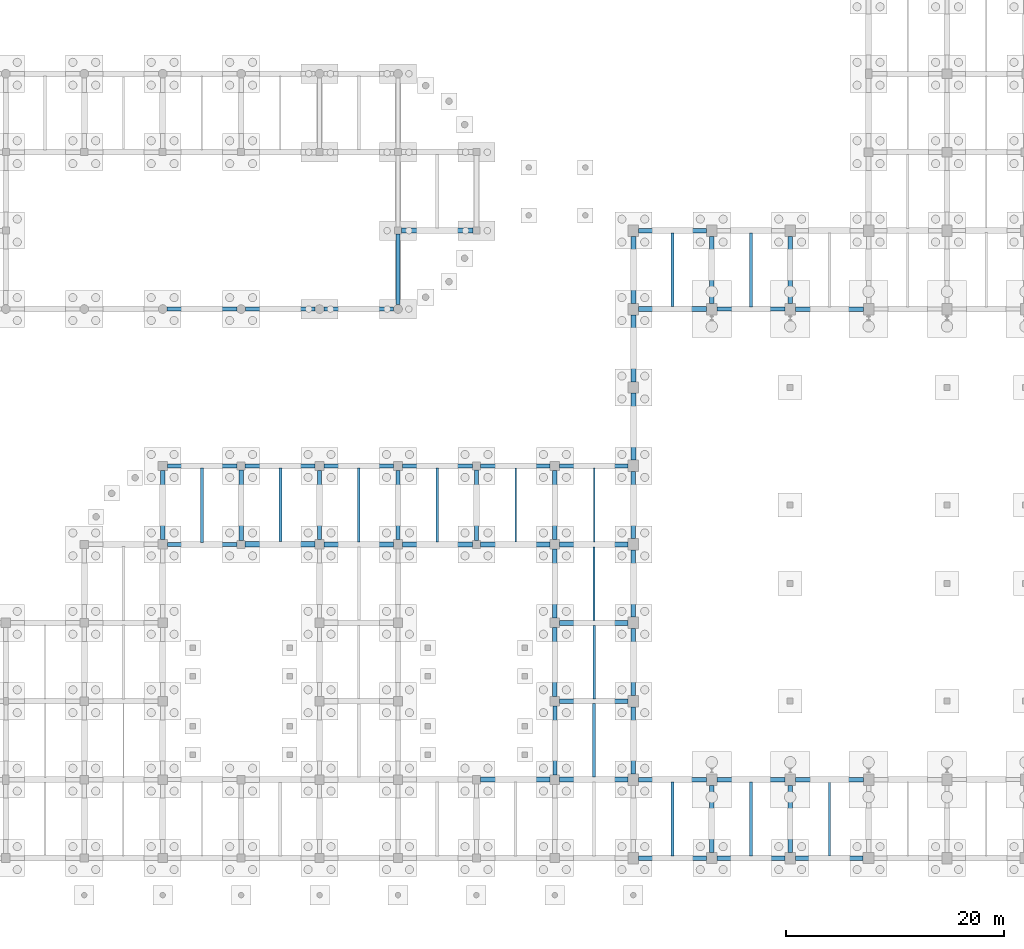
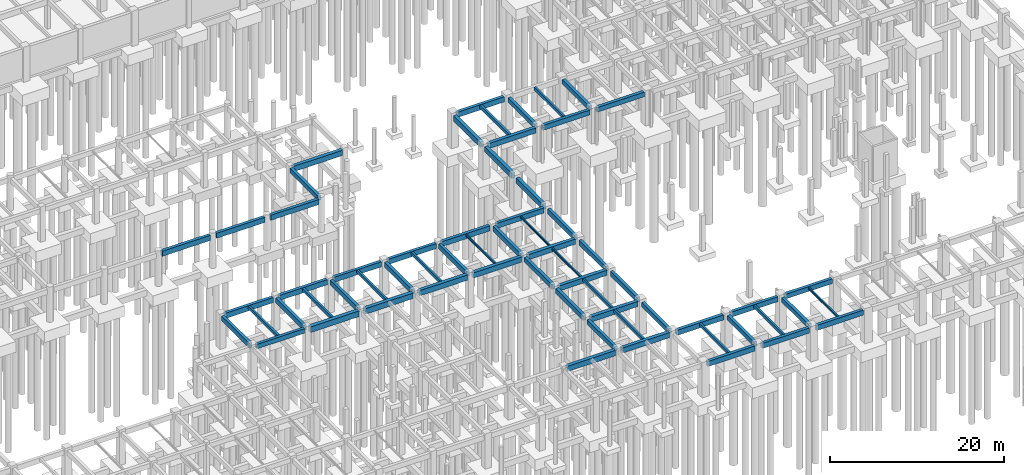
# One storey, part 27 of 47: 65 beams.
"""IFC4 building model written with IfcOpenShell, lengths in metres."""

from ifc_helpers import new_model, si_unit, direction, frame, origin, origin_2d, place, context, subcontext, project, spatial, rectangle, i_section, extrude, material, material_profile, profile_set, type_object, element, save


model = new_model("IFC4")

# Units and contexts
model_context = context("Model", 3, precision=1e-05, world=origin(), true_north=direction((0.0, 1.0)))
body_context = subcontext(model_context, "Body", "Model", "MODEL_VIEW")
ifc_project = project(units=[si_unit("LENGTHUNIT", "METRE"), si_unit("AREAUNIT", "SQUARE_METRE"), si_unit("VOLUMEUNIT", "CUBIC_METRE"), si_unit("PLANEANGLEUNIT", "RADIAN"), si_unit("MASSUNIT", "GRAM", prefix="KILO")], contexts=[model_context])

# Site, building, storey
site_placement = place(None, origin())
site = spatial("IfcSite", under=ifc_project, at=site_placement, CompositionType="ELEMENT")
building_placement = place(site_placement, origin())
building = spatial("IfcBuilding", under=site, at=building_placement, Name="Thalmaran Polytechnic", CompositionType="ELEMENT")
storey_placement = place(building_placement, frame((0.0, 0.0, -4.5)))
storey = spatial("IfcBuildingStorey", under=building, at=storey_placement, Name="B1", CompositionType="ELEMENT", Elevation=-4.5)

# Beams
ifc_material_1 = material(Name="Concrete C40/50", Category="concrete")
ifc_material_profile_1 = material_profile(ifc_material_1, rectangle(XDim=0.5, YDim=0.800048828125, at=origin_2d()), Name="RC 500x800")
ifc_profile_set_1 = profile_set([ifc_material_profile_1], Name="Concrete C40/50")
beam_type_1 = type_object("IfcBeamType", Name="BM-RC02", PredefinedType="BEAM", material=ifc_profile_set_1)
beam_1_placement = place(storey_placement, frame((72.375, 28.800048828125, 3.7900390625), z_axis=(1.0, 0.0, 0.0), x_axis=(0.0, 1.0, 0.0)))
element("IfcBeam", 1, at=beam_1_placement, inside=storey, type_object=beam_type_1, Name="Grid Beam B02 B1 X(10,4)", PredefinedType="BEAM", context=body_context, shape_type="SweptSolid", body=[
    extrude(rectangle(XDim=0.5, YDim=0.800048828125, at=origin_2d()), origin(), (0.0, 0.0, 1.0), 6.39990234375),
])
ifc_material_profile_2 = material_profile(ifc_material_1, rectangle(XDim=0.449951171875, YDim=0.75, at=origin_2d()), Name="RC 450x750")
ifc_profile_set_2 = profile_set([ifc_material_profile_2], Name="Concrete C40/50")
beam_type_2 = type_object("IfcBeamType", Name="BM-RC03", PredefinedType="BEAM", material=ifc_profile_set_2)
beam_2_placement = place(storey_placement, frame((86.824951171875, 28.800048828125, 3.81494140625), z_axis=(1.0, 0.0, 0.0), x_axis=(0.0, 1.0, 0.0)))
element("IfcBeam", 2, at=beam_2_placement, inside=storey, type_object=beam_type_2, Name="Grid Beam B03 B1 X(12,4)", PredefinedType="BEAM", context=body_context, shape_type="SweptSolid", body=[
    extrude(rectangle(XDim=0.449951171875, YDim=0.75, at=origin_2d()), origin(), (0.0, 0.0, 1.0), 6.400146484375),
])
beam_3_placement = place(storey_placement, frame((86.72509765625, 57.60009765625, 3.81494140625), z_axis=(1.0, 0.0, 0.0), x_axis=(0.0, 1.0, 0.0)))
element("IfcBeam", 3, at=beam_3_placement, inside=storey, type_object=beam_type_2, Name="Grid Beam B03 B1 X(12,8)", PredefinedType="BEAM", context=body_context, shape_type="SweptSolid", body=[
    extrude(rectangle(XDim=0.449951171875, YDim=0.75, at=origin_2d()), origin(), (0.0, 0.0, 1.0), 6.5498046875),
])
ifc_material_profile_3 = material_profile(ifc_material_1, rectangle(XDim=0.449951171875, YDim=0.72509765625, at=origin_2d()), Name="RC 450x725")
ifc_profile_set_3 = profile_set([ifc_material_profile_3], Name="Concrete C40/50")
beam_type_3 = type_object("IfcBeamType", Name="BM-RC04", PredefinedType="BEAM", material=ifc_profile_set_3)
for number, where, z_axis, x_axis, name in (
    (4, (101.22509765625, 7.199951171875, 3.827392578125), (1.0, 0.0, 0.0), (0.0, 1.0, 0.0), "Grid Beam B04 B1 X(14,1)"),
    (5, (101.22509765625, 14.39990234375, 3.827392578125), (1.0, 0.0, 0.0), (0.0, 1.0, 0.0), "Grid Beam B04 B1 X(14,2)"),
    (6, (101.22509765625, 21.60009765625, 3.827392578125), (1.0, 0.0, 0.0), (0.0, 1.0, 0.0), "Grid Beam B04 B1 X(14,3)"),
    (7, (101.22509765625, 28.800048828125, 3.827392578125), (1.0, 0.0, 0.0), (0.0, 1.0, 0.0), "Grid Beam B04 B1 X(14,4)"),
):
    element("IfcBeam", number, at=place(storey_placement, frame(where, z_axis=z_axis, x_axis=x_axis)), inside=storey, type_object=beam_type_3, Name=name, PredefinedType="BEAM", context=body_context, shape_type="SweptSolid", body=[
        extrude(rectangle(XDim=0.449951171875, YDim=0.72509765625, at=origin_2d()), origin(), (0.0, 0.0, 1.0), 6.2998046875),
    ])
ifc_material_profile_4 = material_profile(ifc_material_1, rectangle(XDim=0.39990234375, YDim=0.699951171875, at=origin_2d()), Name="RC 400x700")
ifc_profile_set_4 = profile_set([ifc_material_profile_4], Name="Concrete C40/50")
beam_type_4 = type_object("IfcBeamType", Name="BM-RC05", PredefinedType="BEAM", material=ifc_profile_set_4)
for number, where, z_axis, x_axis, name in (
    (8, (115.675048828125, 7.199951171875, 3.7900390625), (1.0, 0.0, 0.0), (0.0, 1.0, 0.0), "Grid Beam B05 B1 X(16,1)"),
    (9, (115.675048828125, 50.39990234375, 3.7900390625), (1.0, 0.0, 0.0), (0.0, 1.0, 0.0), "Grid Beam B05 B1 X(16,7)"),
):
    element("IfcBeam", number, at=place(storey_placement, frame(where, z_axis=z_axis, x_axis=x_axis)), inside=storey, type_object=beam_type_4, Name=name, PredefinedType="BEAM", context=body_context, shape_type="SweptSolid", body=[
        extrude(rectangle(XDim=0.39990234375, YDim=0.699951171875, at=origin_2d()), origin(), (0.0, 0.0, 1.0), 6.25),
    ])
ifc_material_profile_5 = material_profile(ifc_material_1, rectangle(XDim=0.39990234375, YDim=0.6298828125, at=origin_2d()), Name="RC 400x630")
ifc_profile_set_5 = profile_set([ifc_material_profile_5], Name="Concrete C40/50")
beam_type_5 = type_object("IfcBeamType", Name="BM-RC07", PredefinedType="BEAM", material=ifc_profile_set_5)
beam_4_placement = place(storey_placement, frame((86.39990234375, 50.800048828125, 3.875), z_axis=(0.0, 1.0, 0.0), x_axis=(-1.0, 0.0, 0.0)))
element("IfcBeam", 10, at=beam_4_placement, inside=storey, type_object=beam_type_5, Name="Grid Beam B07 B1 Y(12,7)", PredefinedType="BEAM", context=body_context, shape_type="SweptSolid", body=[
    extrude(rectangle(XDim=0.39990234375, YDim=0.6298828125, at=origin_2d()), origin(), (0.0, 0.0, 1.0), 6.474853515625),
])
beam_5_placement = place(storey_placement, frame((115.199951171875, 0.5, 3.824951171875), z_axis=(0.0, 1.0, 0.0), x_axis=(-1.0, 0.0, 0.0)))
element("IfcBeam", 11, at=beam_5_placement, inside=storey, type_object=beam_type_5, Name="Grid Beam B07 B1 Y(16,0)", PredefinedType="BEAM", context=body_context, shape_type="SweptSolid", body=[
    extrude(rectangle(XDim=0.39990234375, YDim=0.6298828125, at=origin_2d()), origin(), (0.0, 0.0, 1.0), 6.175048828125),
])
beam_6_placement = place(storey_placement, frame((115.199951171875, 50.925048828125, 3.824951171875), z_axis=(0.0, 1.0, 0.0), x_axis=(-1.0, 0.0, 0.0)))
element("IfcBeam", 12, at=beam_6_placement, inside=storey, type_object=beam_type_5, Name="Grid Beam B07 B1 Y(16,7)", PredefinedType="BEAM", context=body_context, shape_type="SweptSolid", body=[
    extrude(rectangle(XDim=0.39990234375, YDim=0.6298828125, at=origin_2d()), origin(), (0.0, 0.0, 1.0), 6.14990234375),
])
beam_7_placement = place(storey_placement, frame((122.39990234375, 0.52490234375, 3.824951171875), z_axis=(0.0, 1.0, 0.0), x_axis=(-1.0, 0.0, 0.0)))
element("IfcBeam", 13, at=beam_7_placement, inside=storey, type_object=beam_type_5, Name="Grid Beam B07 B1 Y(17,0)", PredefinedType="BEAM", context=body_context, shape_type="SweptSolid", body=[
    extrude(rectangle(XDim=0.39990234375, YDim=0.6298828125, at=origin_2d()), origin(), (0.0, 0.0, 1.0), 6.150146484375),
])
beam_8_placement = place(storey_placement, frame((122.39990234375, 50.925048828125, 3.824951171875), z_axis=(0.0, 1.0, 0.0), x_axis=(-1.0, 0.0, 0.0)))
element("IfcBeam", 14, at=beam_8_placement, inside=storey, type_object=beam_type_5, Name="Grid Beam B07 B1 Y(17,7)", PredefinedType="BEAM", context=body_context, shape_type="SweptSolid", body=[
    extrude(rectangle(XDim=0.39990234375, YDim=0.6298828125, at=origin_2d()), origin(), (0.0, 0.0, 1.0), 6.14990234375),
])
ifc_material_profile_6 = material_profile(ifc_material_1, rectangle(XDim=0.389892578125, YDim=0.68505859375, at=origin_2d()), Name="RC 390x685")
ifc_profile_set_6 = profile_set([ifc_material_profile_6], Name="Concrete C40/50")
beam_type_6 = type_object("IfcBeamType", Name="BM-RC08", PredefinedType="BEAM", material=ifc_profile_set_6)
beam_9_placement = place(storey_placement, frame((100.800048828125, 14.824951171875, 3.847412109375), z_axis=(0.0, 1.0, 0.0), x_axis=(-1.0, 0.0, 0.0)))
element("IfcBeam", 15, at=beam_9_placement, inside=storey, type_object=beam_type_6, Name="Grid Beam B08 B1 Y(14,2)", PredefinedType="BEAM", context=body_context, shape_type="SweptSolid", body=[
    extrude(rectangle(XDim=0.389892578125, YDim=0.68505859375, at=origin_2d()), origin(), (0.0, 0.0, 1.0), 6.35009765625),
])
beam_10_placement = place(storey_placement, frame((108.0, 14.925048828125, 3.797607421875), z_axis=(0.0, 1.0, 0.0), x_axis=(-1.0, 0.0, 0.0)))
element("IfcBeam", 16, at=beam_10_placement, inside=storey, type_object=beam_type_6, Name="Grid Beam B08 B1 Y(15,2)", PredefinedType="BEAM", context=body_context, shape_type="SweptSolid", body=[
    extrude(rectangle(XDim=0.389892578125, YDim=0.68505859375, at=origin_2d()), origin(), (0.0, 0.0, 1.0), 6.14990234375),
])
ifc_material_profile_7 = material_profile(ifc_material_1, rectangle(XDim=0.389892578125, YDim=0.68994140625, at=origin_2d()), Name="RC 390x690")
ifc_profile_set_7 = profile_set([ifc_material_profile_7], Name="Concrete C40/50")
beam_type_7 = type_object("IfcBeamType", Name="BM-RC09", PredefinedType="BEAM", material=ifc_profile_set_7)
beam_11_placement = place(storey_placement, frame((64.800048828125, 29.22509765625, 3.844970703125), z_axis=(0.0, 1.0, 0.0), x_axis=(-1.0, 0.0, 0.0)))
element("IfcBeam", 17, at=beam_11_placement, inside=storey, type_object=beam_type_7, Name="Grid Beam B09 B1 Y(9,4)", PredefinedType="BEAM", context=body_context, shape_type="SweptSolid", body=[
    extrude(rectangle(XDim=0.389892578125, YDim=0.68994140625, at=origin_2d()), origin(), (0.0, 0.0, 1.0), 6.349853515625),
])
beam_12_placement = place(storey_placement, frame((72.0, 29.175048828125, 3.844970703125), z_axis=(0.0, 1.0, 0.0), x_axis=(-1.0, 0.0, 0.0)))
element("IfcBeam", 18, at=beam_12_placement, inside=storey, type_object=beam_type_7, Name="Grid Beam B09 B1 Y(10,4)", PredefinedType="BEAM", context=body_context, shape_type="SweptSolid", body=[
    extrude(rectangle(XDim=0.389892578125, YDim=0.68994140625, at=origin_2d()), origin(), (0.0, 0.0, 1.0), 6.449951171875),
])
for number, where, z_axis, x_axis, name in (
    (19, (79.199951171875, 29.22509765625, 3.844970703125), (0.0, 1.0, 0.0), (-1.0, 0.0, 0.0), "Grid Beam B09 B1 Y(11,4)"),
    (20, (86.39990234375, 29.22509765625, 3.844970703125), (0.0, 1.0, 0.0), (-1.0, 0.0, 0.0), "Grid Beam B09 B1 Y(12,4)"),
):
    element("IfcBeam", number, at=place(storey_placement, frame(where, z_axis=z_axis, x_axis=x_axis)), inside=storey, type_object=beam_type_7, Name=name, PredefinedType="BEAM", context=body_context, shape_type="SweptSolid", body=[
        extrude(rectangle(XDim=0.389892578125, YDim=0.68994140625, at=origin_2d()), origin(), (0.0, 0.0, 1.0), 6.349853515625),
    ])
beam_13_placement = place(storey_placement, frame((93.60009765625, 29.175048828125, 3.844970703125), z_axis=(0.0, 1.0, 0.0), x_axis=(-1.0, 0.0, 0.0)))
element("IfcBeam", 21, at=beam_13_placement, inside=storey, type_object=beam_type_7, Name="Grid Beam B09 B1 Y(13,4)", PredefinedType="BEAM", context=body_context, shape_type="SweptSolid", body=[
    extrude(rectangle(XDim=0.389892578125, YDim=0.68994140625, at=origin_2d()), origin(), (0.0, 0.0, 1.0), 6.449951171875),
])
beam_14_placement = place(storey_placement, frame((100.800048828125, 29.22509765625, 3.844970703125), z_axis=(0.0, 1.0, 0.0), x_axis=(-1.0, 0.0, 0.0)))
element("IfcBeam", 22, at=beam_14_placement, inside=storey, type_object=beam_type_7, Name="Grid Beam B09 B1 Y(14,4)", PredefinedType="BEAM", context=body_context, shape_type="SweptSolid", body=[
    extrude(rectangle(XDim=0.389892578125, YDim=0.68994140625, at=origin_2d()), origin(), (0.0, 0.0, 1.0), 6.349853515625),
])
beam_15_placement = place(storey_placement, frame((108.0, 29.324951171875, 3.794921875), z_axis=(0.0, 1.0, 0.0), x_axis=(-1.0, 0.0, 0.0)))
element("IfcBeam", 23, at=beam_15_placement, inside=storey, type_object=beam_type_7, Name="Grid Beam B09 B1 Y(15,4)", PredefinedType="BEAM", context=body_context, shape_type="SweptSolid", body=[
    extrude(rectangle(XDim=0.389892578125, YDim=0.68994140625, at=origin_2d()), origin(), (0.0, 0.0, 1.0), 6.150146484375),
])
ifc_material_profile_8 = material_profile(ifc_material_1, rectangle(XDim=0.300048828125, YDim=0.449951171875, at=origin_2d()), Name="RC 300x450")
ifc_profile_set_8 = profile_set([ifc_material_profile_8], Name="Concrete C40/50")
beam_type_8 = type_object("IfcBeamType", Name="BM-RC12", PredefinedType="JOIST", material=ifc_profile_set_8)
beam_16_placement = place(storey_placement, frame((111.60009765625, 50.6201171875, 3.9150390625), z_axis=(0.0, 1.0, 0.0), x_axis=(-1.0, 0.0, 0.0)))
element("IfcBeam", 24, at=beam_16_placement, inside=storey, type_object=beam_type_8, Name="Secondary Floor Rib RB02 B1 (15,7)", PredefinedType="JOIST", context=body_context, shape_type="SweptSolid", body=[
    extrude(rectangle(XDim=0.300048828125, YDim=0.449951171875, at=origin_2d()), origin(), (0.0, 0.0, 1.0), 6.77978515625),
])
ifc_material_profile_9 = material_profile(ifc_material_1, rectangle(XDim=0.280029296875, YDim=0.449951171875, at=origin_2d()), Name="RC 280x450")
ifc_profile_set_9 = profile_set([ifc_material_profile_9], Name="Concrete C40/50")
beam_type_9 = type_object("IfcBeamType", Name="BM-RC13", PredefinedType="JOIST", material=ifc_profile_set_9)
beam_17_placement = place(storey_placement, frame((75.60009765625, 29.050048828125, 3.965087890625), z_axis=(0.0, 1.0, 0.0), x_axis=(-1.0, 0.0, 0.0)))
element("IfcBeam", 25, at=beam_17_placement, inside=storey, type_object=beam_type_9, Name="Secondary Floor Rib RB03 B1 (10,4)", PredefinedType="JOIST", context=body_context, shape_type="SweptSolid", body=[
    extrude(rectangle(XDim=0.280029296875, YDim=0.449951171875, at=origin_2d()), origin(), (0.0, 0.0, 1.0), 6.75),
])
ifc_material_2 = material(Name="Steel S355", Category="steel")
ifc_material_profile_10 = material_profile(ifc_material_2, i_section(OverallWidth=0.159912109375, OverallDepth=0.330078125, WebThickness=0.007568359375, FlangeThickness=0.011474609375, at=origin_2d()), Name="IPE 330")
ifc_profile_set_10 = profile_set([ifc_material_profile_10], Name="Steel S355")
beam_type_10 = type_object("IfcBeamType", Name="BM-SJ02", PredefinedType="JOIST", material=ifc_profile_set_10)
beam_18_placement = place(storey_placement, frame((97.199951171875, 29.030029296875, 4.02490234375), z_axis=(0.0, 1.0, 0.0), x_axis=(-1.0, 0.0, 0.0)))
element("IfcBeam", 26, at=beam_18_placement, inside=storey, type_object=beam_type_10, Name="Secondary Floor Rib SJ02 B1 (13,4)", PredefinedType="JOIST", context=body_context, shape_type="SweptSolid", body=[
    extrude(i_section(OverallWidth=0.159912109375, OverallDepth=0.330078125, WebThickness=0.007568359375, FlangeThickness=0.011474609375, at=origin_2d()), origin(), (0.0, 0.0, 1.0), 6.77001953125),
])
beam_19_placement = place(storey_placement, frame((104.39990234375, 21.824951171875, 4.02490234375), z_axis=(0.0, 1.0, 0.0), x_axis=(-1.0, 0.0, 0.0)))
element("IfcBeam", 27, at=beam_19_placement, inside=storey, type_object=beam_type_10, Name="Secondary Floor Rib SJ02 B1 (14,3)", PredefinedType="JOIST", context=body_context, shape_type="SweptSolid", body=[
    extrude(i_section(OverallWidth=0.159912109375, OverallDepth=0.330078125, WebThickness=0.007568359375, FlangeThickness=0.011474609375, at=origin_2d()), origin(), (0.0, 0.0, 1.0), 6.75),
])
beam_20_placement = place(storey_placement, frame((126.0, 0.199951171875, 3.97509765625), z_axis=(0.0, 1.0, 0.0), x_axis=(-1.0, 0.0, 0.0)))
element("IfcBeam", 28, at=beam_20_placement, inside=storey, type_object=beam_type_10, Name="Secondary Floor Rib SJ02 B1 (17,0)", PredefinedType="JOIST", context=body_context, shape_type="SweptSolid", body=[
    extrude(i_section(OverallWidth=0.159912109375, OverallDepth=0.330078125, WebThickness=0.007568359375, FlangeThickness=0.011474609375, at=origin_2d()), origin(), (0.0, 0.0, 1.0), 6.7900390625),
])
ifc_material_profile_11 = material_profile(ifc_material_2, i_section(OverallWidth=0.135009765625, OverallDepth=0.27001953125, WebThickness=0.006591796875, FlangeThickness=0.01025390625, at=origin_2d()), Name="IPE 270")
ifc_profile_set_11 = profile_set([ifc_material_profile_11], Name="Steel S355")
beam_type_11 = type_object("IfcBeamType", Name="BM-SJ03", PredefinedType="JOIST", material=ifc_profile_set_11)
beam_21_placement = place(storey_placement, frame((104.39990234375, 29.02490234375, 4.054931640625), z_axis=(0.0, 1.0, 0.0), x_axis=(-1.0, 0.0, 0.0)))
element("IfcBeam", 29, at=beam_21_placement, inside=storey, type_object=beam_type_11, Name="Secondary Floor Rib SJ03 B1 (14,4)", PredefinedType="JOIST", context=body_context, shape_type="SweptSolid", body=[
    extrude(i_section(OverallWidth=0.135009765625, OverallDepth=0.27001953125, WebThickness=0.006591796875, FlangeThickness=0.01025390625, at=origin_2d()), origin(), (0.0, 0.0, 1.0), 6.775146484375),
])
ifc_material_profile_12 = material_profile(ifc_material_1, rectangle(XDim=0.39990234375, YDim=0.719970703125, at=origin_2d()), Name="RC 400x720")
ifc_profile_set_12 = profile_set([ifc_material_profile_12], Name="Concrete C40/50")
beam_type_12 = type_object("IfcBeamType", Name="BM-SP01", PredefinedType="SPANDREL", material=ifc_profile_set_12)
beam_22_placement = place(storey_placement, frame((65.22509765625, 36.0, 3.830078125), z_axis=(1.0, 0.0, 0.0), x_axis=(0.0, 1.0, 0.0)))
element("IfcBeam", 30, at=beam_22_placement, inside=storey, type_object=beam_type_12, Name="Grid Beam SP01 B1 X(9,5)", PredefinedType="SPANDREL", context=body_context, shape_type="SweptSolid", body=[
    extrude(rectangle(XDim=0.39990234375, YDim=0.719970703125, at=origin_2d()), origin(), (0.0, 0.0, 1.0), 6.39990234375),
])
beam_23_placement = place(storey_placement, frame((65.199951171875, 50.39990234375, 3.830078125), z_axis=(1.0, 0.0, 0.0), x_axis=(0.0, 1.0, 0.0)))
element("IfcBeam", 31, at=beam_23_placement, inside=storey, type_object=beam_type_12, Name="Grid Beam SP01 B1 X(9,7)", PredefinedType="SPANDREL", context=body_context, shape_type="SweptSolid", body=[
    extrude(rectangle(XDim=0.39990234375, YDim=0.719970703125, at=origin_2d()), origin(), (0.0, 0.0, 1.0), 6.400146484375),
])
beam_24_placement = place(storey_placement, frame((72.375, 36.0, 3.830078125), z_axis=(1.0, 0.0, 0.0), x_axis=(0.0, 1.0, 0.0)))
element("IfcBeam", 32, at=beam_24_placement, inside=storey, type_object=beam_type_12, Name="Grid Beam SP01 B1 X(10,5)", PredefinedType="SPANDREL", context=body_context, shape_type="SweptSolid", body=[
    extrude(rectangle(XDim=0.39990234375, YDim=0.719970703125, at=origin_2d()), origin(), (0.0, 0.0, 1.0), 6.39990234375),
])
beam_25_placement = place(storey_placement, frame((72.39990234375, 50.39990234375, 3.830078125), z_axis=(1.0, 0.0, 0.0), x_axis=(0.0, 1.0, 0.0)))
element("IfcBeam", 33, at=beam_25_placement, inside=storey, type_object=beam_type_12, Name="Grid Beam SP01 B1 X(10,7)", PredefinedType="SPANDREL", context=body_context, shape_type="SweptSolid", body=[
    extrude(rectangle(XDim=0.39990234375, YDim=0.719970703125, at=origin_2d()), origin(), (0.0, 0.0, 1.0), 6.400146484375),
])
beam_26_placement = place(storey_placement, frame((79.625, 36.0, 3.830078125), z_axis=(1.0, 0.0, 0.0), x_axis=(0.0, 1.0, 0.0)))
element("IfcBeam", 34, at=beam_26_placement, inside=storey, type_object=beam_type_12, Name="Grid Beam SP01 B1 X(11,5)", PredefinedType="SPANDREL", context=body_context, shape_type="SweptSolid", body=[
    extrude(rectangle(XDim=0.39990234375, YDim=0.719970703125, at=origin_2d()), origin(), (0.0, 0.0, 1.0), 6.35009765625),
])
beam_27_placement = place(storey_placement, frame((79.60009765625, 50.39990234375, 3.830078125), z_axis=(1.0, 0.0, 0.0), x_axis=(0.0, 1.0, 0.0)))
element("IfcBeam", 35, at=beam_27_placement, inside=storey, type_object=beam_type_12, Name="Grid Beam SP01 B1 X(11,7)", PredefinedType="SPANDREL", context=body_context, shape_type="SweptSolid", body=[
    extrude(rectangle(XDim=0.39990234375, YDim=0.719970703125, at=origin_2d()), origin(), (0.0, 0.0, 1.0), 6.39990234375),
])
beam_28_placement = place(storey_placement, frame((86.824951171875, 36.0, 3.830078125), z_axis=(1.0, 0.0, 0.0), x_axis=(0.0, 1.0, 0.0)))
element("IfcBeam", 36, at=beam_28_placement, inside=storey, type_object=beam_type_12, Name="Grid Beam SP01 B1 X(12,5)", PredefinedType="SPANDREL", context=body_context, shape_type="SweptSolid", body=[
    extrude(rectangle(XDim=0.39990234375, YDim=0.719970703125, at=origin_2d()), origin(), (0.0, 0.0, 1.0), 6.400146484375),
])
beam_29_placement = place(storey_placement, frame((93.97509765625, 36.0, 3.830078125), z_axis=(1.0, 0.0, 0.0), x_axis=(0.0, 1.0, 0.0)))
element("IfcBeam", 37, at=beam_29_placement, inside=storey, type_object=beam_type_12, Name="Grid Beam SP01 B1 X(13,5)", PredefinedType="SPANDREL", context=body_context, shape_type="SweptSolid", body=[
    extrude(rectangle(XDim=0.39990234375, YDim=0.719970703125, at=origin_2d()), origin(), (0.0, 0.0, 1.0), 6.39990234375),
])
beam_30_placement = place(storey_placement, frame((101.22509765625, 36.0, 3.830078125), z_axis=(1.0, 0.0, 0.0), x_axis=(0.0, 1.0, 0.0)))
element("IfcBeam", 38, at=beam_30_placement, inside=storey, type_object=beam_type_12, Name="Grid Beam SP01 B1 X(14,5)", PredefinedType="SPANDREL", context=body_context, shape_type="SweptSolid", body=[
    extrude(rectangle(XDim=0.39990234375, YDim=0.719970703125, at=origin_2d()), origin(), (0.0, 0.0, 1.0), 6.2998046875),
])
beam_31_placement = place(storey_placement, frame((108.47509765625, 0.0, 3.780029296875), z_axis=(1.0, 0.0, 0.0), x_axis=(0.0, 1.0, 0.0)))
element("IfcBeam", 39, at=beam_31_placement, inside=storey, type_object=beam_type_12, Name="Grid Beam SP01 B1 X(15,0)", PredefinedType="SPANDREL", context=body_context, shape_type="SweptSolid", body=[
    extrude(rectangle(XDim=0.39990234375, YDim=0.719970703125, at=origin_2d()), origin(), (0.0, 0.0, 1.0), 6.224853515625),
])
beam_32_placement = place(storey_placement, frame((108.47509765625, 57.60009765625, 3.780029296875), z_axis=(1.0, 0.0, 0.0), x_axis=(0.0, 1.0, 0.0)))
element("IfcBeam", 40, at=beam_32_placement, inside=storey, type_object=beam_type_12, Name="Grid Beam SP01 B1 X(15,8)", PredefinedType="SPANDREL", context=body_context, shape_type="SweptSolid", body=[
    extrude(rectangle(XDim=0.39990234375, YDim=0.719970703125, at=origin_2d()), origin(), (0.0, 0.0, 1.0), 6.25),
])
for number, where, z_axis, x_axis, name in (
    (41, (115.699951171875, 0.0, 3.780029296875), (1.0, 0.0, 0.0), (0.0, 1.0, 0.0), "Grid Beam SP01 B1 X(16,0)"),
    (42, (122.875, 0.0, 3.780029296875), (1.0, 0.0, 0.0), (0.0, 1.0, 0.0), "Grid Beam SP01 B1 X(17,0)"),
):
    element("IfcBeam", number, at=place(storey_placement, frame(where, z_axis=z_axis, x_axis=x_axis)), inside=storey, type_object=beam_type_12, Name=name, PredefinedType="SPANDREL", context=body_context, shape_type="SweptSolid", body=[
        extrude(rectangle(XDim=0.39990234375, YDim=0.719970703125, at=origin_2d()), origin(), (0.0, 0.0, 1.0), 6.22509765625),
    ])
ifc_material_profile_13 = material_profile(ifc_material_1, rectangle(XDim=0.449951171875, YDim=0.7548828125, at=origin_2d()), Name="RC 450x755")
ifc_profile_set_13 = profile_set([ifc_material_profile_13], Name="Concrete C40/50")
beam_type_13 = type_object("IfcBeamType", Name="BM-SP02", PredefinedType="SPANDREL", material=ifc_profile_set_13)
beam_33_placement = place(storey_placement, frame((108.0, 36.52490234375, 3.762451171875), z_axis=(0.0, 1.0, 0.0), x_axis=(-1.0, 0.0, 0.0)))
element("IfcBeam", 43, at=beam_33_placement, inside=storey, type_object=beam_type_13, Name="Grid Beam SP02 B1 Y(15,5)", PredefinedType="SPANDREL", context=body_context, shape_type="SweptSolid", body=[
    extrude(rectangle(XDim=0.449951171875, YDim=0.7548828125, at=origin_2d()), origin(), (0.0, 0.0, 1.0), 6.150146484375),
])
for number, where, z_axis, x_axis, name in (
    (44, (108.0, 43.72509765625, 3.762451171875), (0.0, 1.0, 0.0), (-1.0, 0.0, 0.0), "Grid Beam SP02 B1 Y(15,6)"),
    (45, (108.0, 50.925048828125, 3.762451171875), (0.0, 1.0, 0.0), (-1.0, 0.0, 0.0), "Grid Beam SP02 B1 Y(15,7)"),
):
    element("IfcBeam", number, at=place(storey_placement, frame(where, z_axis=z_axis, x_axis=x_axis)), inside=storey, type_object=beam_type_13, Name=name, PredefinedType="SPANDREL", context=body_context, shape_type="SweptSolid", body=[
        extrude(rectangle(XDim=0.449951171875, YDim=0.7548828125, at=origin_2d()), origin(), (0.0, 0.0, 1.0), 6.14990234375),
    ])
ifc_material_profile_14 = material_profile(ifc_material_1, rectangle(XDim=0.47998046875, YDim=0.780029296875, at=origin_2d()), Name="RC 480x780")
ifc_profile_set_14 = profile_set([ifc_material_profile_14], Name="Concrete C40/50")
beam_type_14 = type_object("IfcBeamType", Name="BM-ZB01", PredefinedType="BEAM", material=ifc_profile_set_14)
beam_34_placement = place(storey_placement, frame((79.625, 28.800048828125, 3.800048828125), z_axis=(1.0, 0.0, 0.0), x_axis=(0.0, 1.0, 0.0)))
element("IfcBeam", 46, at=beam_34_placement, inside=storey, type_object=beam_type_14, Name="Grid Beam ZB01 B1 X(11,4)", PredefinedType="BEAM", context=body_context, shape_type="SweptSolid", body=[
    extrude(rectangle(XDim=0.47998046875, YDim=0.780029296875, at=origin_2d()), origin(), (0.0, 0.0, 1.0), 6.35009765625),
])
ifc_material_profile_15 = material_profile(ifc_material_1, rectangle(XDim=0.4599609375, YDim=0.739990234375, at=origin_2d()), Name="RC 460x740")
ifc_profile_set_15 = profile_set([ifc_material_profile_15], Name="Concrete C40/50")
beam_type_15 = type_object("IfcBeamType", Name="BM-ZB02", PredefinedType="BEAM", material=ifc_profile_set_15)
for number, where, z_axis, x_axis, name in (
    (47, (93.97509765625, 7.199951171875, 3.820068359375), (1.0, 0.0, 0.0), (0.0, 1.0, 0.0), "Grid Beam ZB02 B1 X(13,1)"),
    (48, (93.97509765625, 28.800048828125, 3.820068359375), (1.0, 0.0, 0.0), (0.0, 1.0, 0.0), "Grid Beam ZB02 B1 X(13,4)"),
):
    element("IfcBeam", number, at=place(storey_placement, frame(where, z_axis=z_axis, x_axis=x_axis)), inside=storey, type_object=beam_type_15, Name=name, PredefinedType="BEAM", context=body_context, shape_type="SweptSolid", body=[
        extrude(rectangle(XDim=0.4599609375, YDim=0.739990234375, at=origin_2d()), origin(), (0.0, 0.0, 1.0), 6.39990234375),
    ])
ifc_material_profile_16 = material_profile(ifc_material_1, rectangle(XDim=0.43994140625, YDim=0.719970703125, at=origin_2d()), Name="RC 440x720")
ifc_profile_set_16 = profile_set([ifc_material_profile_16], Name="Concrete C40/50")
beam_type_16 = type_object("IfcBeamType", Name="BM-ZB03", PredefinedType="BEAM", material=ifc_profile_set_16)
for number, where, z_axis, x_axis, name in (
    (49, (108.47509765625, 7.199951171875, 3.780029296875), (1.0, 0.0, 0.0), (0.0, 1.0, 0.0), "Grid Beam ZB03 B1 X(15,1)"),
    (50, (108.47509765625, 50.39990234375, 3.780029296875), (1.0, 0.0, 0.0), (0.0, 1.0, 0.0), "Grid Beam ZB03 B1 X(15,7)"),
):
    element("IfcBeam", number, at=place(storey_placement, frame(where, z_axis=z_axis, x_axis=x_axis)), inside=storey, type_object=beam_type_16, Name=name, PredefinedType="BEAM", context=body_context, shape_type="SweptSolid", body=[
        extrude(rectangle(XDim=0.43994140625, YDim=0.719970703125, at=origin_2d()), origin(), (0.0, 0.0, 1.0), 6.25),
    ])
ifc_material_profile_17 = material_profile(ifc_material_1, rectangle(XDim=0.419921875, YDim=0.659912109375, at=origin_2d()), Name="RC 420x660")
ifc_profile_set_17 = profile_set([ifc_material_profile_17], Name="Concrete C40/50")
beam_type_17 = type_object("IfcBeamType", Name="BM-ZB04", PredefinedType="BEAM", material=ifc_profile_set_17)
for number, where, z_axis, x_axis, name in (
    (51, (122.875, 7.199951171875, 3.81005859375), (1.0, 0.0, 0.0), (0.0, 1.0, 0.0), "Grid Beam ZB04 B1 X(17,1)"),
    (52, (122.875, 50.39990234375, 3.81005859375), (1.0, 0.0, 0.0), (0.0, 1.0, 0.0), "Grid Beam ZB04 B1 X(17,7)"),
):
    element("IfcBeam", number, at=place(storey_placement, frame(where, z_axis=z_axis, x_axis=x_axis)), inside=storey, type_object=beam_type_17, Name=name, PredefinedType="BEAM", context=body_context, shape_type="SweptSolid", body=[
        extrude(rectangle(XDim=0.419921875, YDim=0.659912109375, at=origin_2d()), origin(), (0.0, 0.0, 1.0), 6.25),
    ])
ifc_material_profile_18 = material_profile(ifc_material_1, rectangle(XDim=0.3798828125, YDim=0.639892578125, at=origin_2d()), Name="RC 380x640")
ifc_profile_set_18 = profile_set([ifc_material_profile_18], Name="Concrete C40/50")
beam_type_18 = type_object("IfcBeamType", Name="BM-ZB05", PredefinedType="BEAM", material=ifc_profile_set_18)
beam_35_placement = place(storey_placement, frame((65.22509765625, 28.800048828125, 3.8701171875), z_axis=(1.0, 0.0, 0.0), x_axis=(0.0, 1.0, 0.0)))
element("IfcBeam", 53, at=beam_35_placement, inside=storey, type_object=beam_type_18, Name="Grid Beam ZB05 B1 X(9,4)", PredefinedType="BEAM", context=body_context, shape_type="SweptSolid", body=[
    extrude(rectangle(XDim=0.3798828125, YDim=0.639892578125, at=origin_2d()), origin(), (0.0, 0.0, 1.0), 6.39990234375),
])
ifc_material_profile_19 = material_profile(ifc_material_1, rectangle(XDim=0.3798828125, YDim=0.635009765625, at=origin_2d()), Name="RC 380x635")
ifc_profile_set_19 = profile_set([ifc_material_profile_19], Name="Concrete C40/50")
beam_type_19 = type_object("IfcBeamType", Name="BM-ZB06", PredefinedType="BEAM", material=ifc_profile_set_19)
beam_36_placement = place(storey_placement, frame((100.800048828125, 7.625, 3.87255859375), z_axis=(0.0, 1.0, 0.0), x_axis=(-1.0, 0.0, 0.0)))
element("IfcBeam", 54, at=beam_36_placement, inside=storey, type_object=beam_type_19, Name="Grid Beam ZB06 B1 Y(14,1)", PredefinedType="BEAM", context=body_context, shape_type="SweptSolid", body=[
    extrude(rectangle(XDim=0.3798828125, YDim=0.635009765625, at=origin_2d()), origin(), (0.0, 0.0, 1.0), 6.35009765625),
])
beam_37_placement = place(storey_placement, frame((108.0, 7.72509765625, 3.822509765625), z_axis=(0.0, 1.0, 0.0), x_axis=(-1.0, 0.0, 0.0)))
element("IfcBeam", 55, at=beam_37_placement, inside=storey, type_object=beam_type_19, Name="Grid Beam ZB06 B1 Y(15,1)", PredefinedType="BEAM", context=body_context, shape_type="SweptSolid", body=[
    extrude(rectangle(XDim=0.3798828125, YDim=0.635009765625, at=origin_2d()), origin(), (0.0, 0.0, 1.0), 6.14990234375),
])
ifc_material_profile_20 = material_profile(ifc_material_1, rectangle(XDim=0.39990234375, YDim=0.68505859375, at=origin_2d()), Name="RC 400x685")
ifc_profile_set_20 = profile_set([ifc_material_profile_20], Name="Concrete C40/50")
beam_type_20 = type_object("IfcBeamType", Name="BM-ZB07", PredefinedType="BEAM", material=ifc_profile_set_20)
beam_38_placement = place(storey_placement, frame((100.800048828125, 22.02490234375, 3.847412109375), z_axis=(0.0, 1.0, 0.0), x_axis=(-1.0, 0.0, 0.0)))
element("IfcBeam", 56, at=beam_38_placement, inside=storey, type_object=beam_type_20, Name="Grid Beam ZB07 B1 Y(14,3)", PredefinedType="BEAM", context=body_context, shape_type="SweptSolid", body=[
    extrude(rectangle(XDim=0.39990234375, YDim=0.68505859375, at=origin_2d()), origin(), (0.0, 0.0, 1.0), 6.35009765625),
])
beam_39_placement = place(storey_placement, frame((108.0, 22.125, 3.797607421875), z_axis=(0.0, 1.0, 0.0), x_axis=(-1.0, 0.0, 0.0)))
element("IfcBeam", 57, at=beam_39_placement, inside=storey, type_object=beam_type_20, Name="Grid Beam ZB07 B1 Y(15,3)", PredefinedType="BEAM", context=body_context, shape_type="SweptSolid", body=[
    extrude(rectangle(XDim=0.39990234375, YDim=0.68505859375, at=origin_2d()), origin(), (0.0, 0.0, 1.0), 6.14990234375),
])
ifc_material_profile_21 = material_profile(ifc_material_1, rectangle(XDim=0.260009765625, YDim=0.43994140625, at=origin_2d()), Name="RC 260x440")
ifc_profile_set_21 = profile_set([ifc_material_profile_21], Name="Concrete C40/50")
beam_type_21 = type_object("IfcBeamType", Name="BM-ZJ02", PredefinedType="JOIST", material=ifc_profile_set_21)
beam_40_placement = place(storey_placement, frame((68.39990234375, 28.989990234375, 3.969970703125), z_axis=(0.0, 1.0, 0.0), x_axis=(-1.0, 0.0, 0.0)))
element("IfcBeam", 58, at=beam_40_placement, inside=storey, type_object=beam_type_21, Name="Secondary Floor Rib ZJ02 B1 (9,4)", PredefinedType="JOIST", context=body_context, shape_type="SweptSolid", body=[
    extrude(rectangle(XDim=0.260009765625, YDim=0.43994140625, at=origin_2d()), origin(), (0.0, 0.0, 1.0), 6.81005859375),
])
beam_41_placement = place(storey_placement, frame((118.800048828125, 50.60009765625, 3.919921875), z_axis=(0.0, 1.0, 0.0), x_axis=(-1.0, 0.0, 0.0)))
element("IfcBeam", 59, at=beam_41_placement, inside=storey, type_object=beam_type_21, Name="Secondary Floor Rib ZJ02 B1 (16,7)", PredefinedType="JOIST", context=body_context, shape_type="SweptSolid", body=[
    extrude(rectangle(XDim=0.260009765625, YDim=0.43994140625, at=origin_2d()), origin(), (0.0, 0.0, 1.0), 6.7998046875),
])
ifc_material_profile_22 = material_profile(ifc_material_1, rectangle(XDim=0.25, YDim=0.419921875, at=origin_2d()), Name="RC 250x420")
ifc_profile_set_22 = profile_set([ifc_material_profile_22], Name="Concrete C40/50")
beam_type_22 = type_object("IfcBeamType", Name="BM-ZJ03", PredefinedType="JOIST", material=ifc_profile_set_22)
beam_42_placement = place(storey_placement, frame((82.800048828125, 29.0400390625, 3.97998046875), z_axis=(0.0, 1.0, 0.0), x_axis=(-1.0, 0.0, 0.0)))
element("IfcBeam", 60, at=beam_42_placement, inside=storey, type_object=beam_type_22, Name="Secondary Floor Rib ZJ03 B1 (11,4)", PredefinedType="JOIST", context=body_context, shape_type="SweptSolid", body=[
    extrude(rectangle(XDim=0.25, YDim=0.419921875, at=origin_2d()), origin(), (0.0, 0.0, 1.0), 6.760009765625),
])
beam_43_placement = place(storey_placement, frame((104.39990234375, 7.425048828125, 3.97998046875), z_axis=(0.0, 1.0, 0.0), x_axis=(-1.0, 0.0, 0.0)))
element("IfcBeam", 61, at=beam_43_placement, inside=storey, type_object=beam_type_22, Name="Secondary Floor Rib ZJ03 B1 (14,1)", PredefinedType="JOIST", context=body_context, shape_type="SweptSolid", body=[
    extrude(rectangle(XDim=0.25, YDim=0.419921875, at=origin_2d()), origin(), (0.0, 0.0, 1.0), 6.75),
])
beam_44_placement = place(storey_placement, frame((111.60009765625, 0.199951171875, 3.929931640625), z_axis=(0.0, 1.0, 0.0), x_axis=(-1.0, 0.0, 0.0)))
element("IfcBeam", 62, at=beam_44_placement, inside=storey, type_object=beam_type_22, Name="Secondary Floor Rib ZJ03 B1 (15,0)", PredefinedType="JOIST", context=body_context, shape_type="SweptSolid", body=[
    extrude(rectangle(XDim=0.25, YDim=0.419921875, at=origin_2d()), origin(), (0.0, 0.0, 1.0), 6.780029296875),
])
ifc_material_profile_23 = material_profile(ifc_material_1, rectangle(XDim=0.239990234375, YDim=0.39990234375, at=origin_2d()), Name="RC 240x400")
ifc_profile_set_23 = profile_set([ifc_material_profile_23], Name="Concrete C40/50")
beam_type_23 = type_object("IfcBeamType", Name="BM-ZJ04", PredefinedType="JOIST", material=ifc_profile_set_23)
beam_45_placement = place(storey_placement, frame((90.0, 29.02490234375, 3.989990234375), z_axis=(0.0, 1.0, 0.0), x_axis=(-1.0, 0.0, 0.0)))
element("IfcBeam", 63, at=beam_45_placement, inside=storey, type_object=beam_type_23, Name="Secondary Floor Rib ZJ04 B1 (12,4)", PredefinedType="JOIST", context=body_context, shape_type="SweptSolid", body=[
    extrude(rectangle(XDim=0.239990234375, YDim=0.39990234375, at=origin_2d()), origin(), (0.0, 0.0, 1.0), 6.775146484375),
])
beam_46_placement = place(storey_placement, frame((104.39990234375, 14.625, 3.989990234375), z_axis=(0.0, 1.0, 0.0), x_axis=(-1.0, 0.0, 0.0)))
element("IfcBeam", 64, at=beam_46_placement, inside=storey, type_object=beam_type_23, Name="Secondary Floor Rib ZJ04 B1 (14,2)", PredefinedType="JOIST", context=body_context, shape_type="SweptSolid", body=[
    extrude(rectangle(XDim=0.239990234375, YDim=0.39990234375, at=origin_2d()), origin(), (0.0, 0.0, 1.0), 6.75),
])
beam_47_placement = place(storey_placement, frame((118.800048828125, 0.199951171875, 3.93994140625), z_axis=(0.0, 1.0, 0.0), x_axis=(-1.0, 0.0, 0.0)))
element("IfcBeam", 65, at=beam_47_placement, inside=storey, type_object=beam_type_23, Name="Secondary Floor Rib ZJ04 B1 (16,0)", PredefinedType="JOIST", context=body_context, shape_type="SweptSolid", body=[
    extrude(rectangle(XDim=0.239990234375, YDim=0.39990234375, at=origin_2d()), origin(), (0.0, 0.0, 1.0), 6.800048828125),
])

save(model, "model.ifc")
